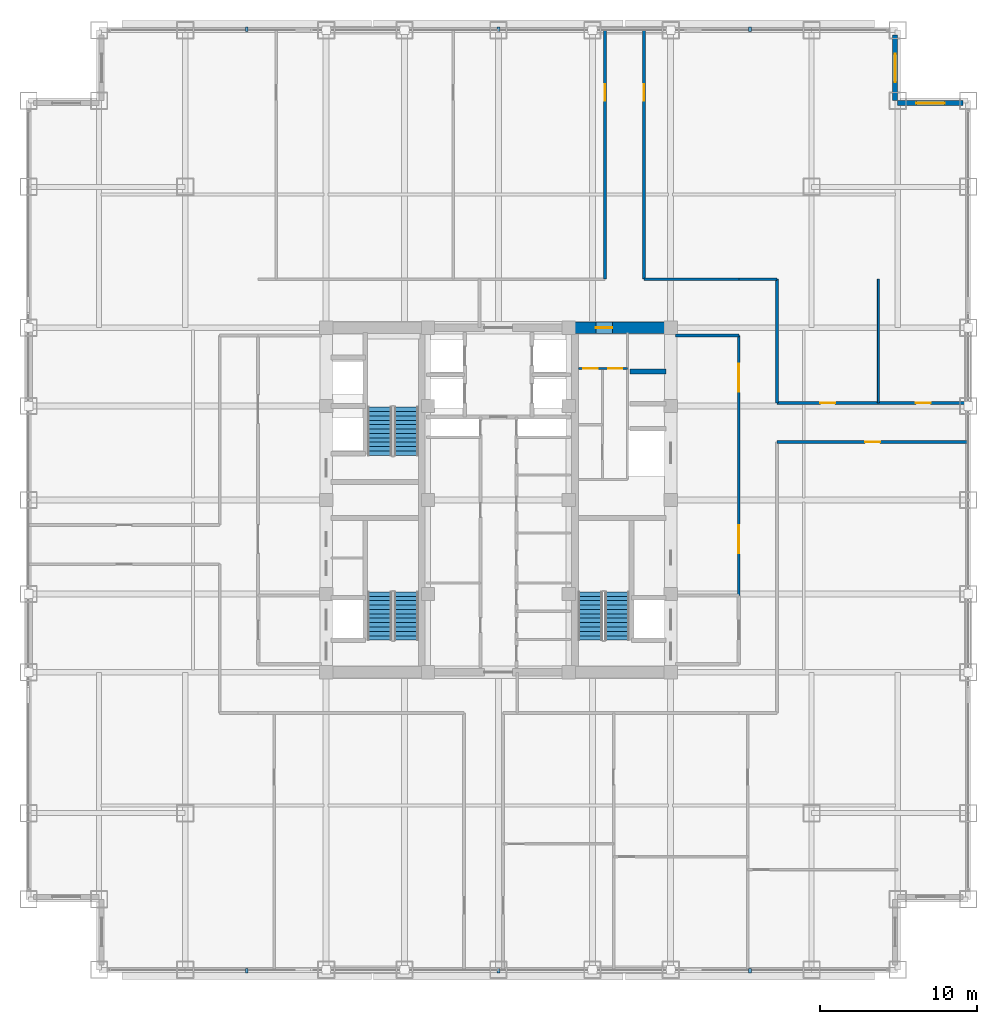
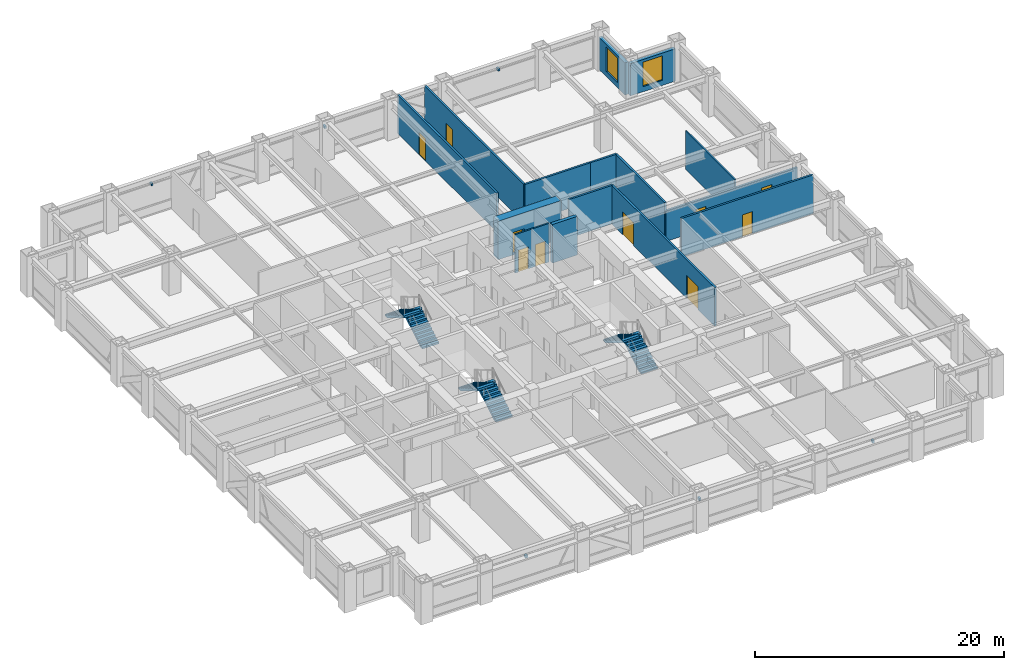
# One storey, part 23 of 28: 15 walls, 10 doors, 6 discrete accessories, 6 stair flights, 2 windows, 12 openings, 3 elements without a shape of their own.
"""IFC4 building model written with IfcOpenShell, lengths in metres."""

from ifc_helpers import new_model, si_unit, direction, frame, frame_2d, origin, origin_2d, place, context, subcontext, project, spatial, polyline, rectangle, outline, extrude, source, transform, mapped, material, layer, layer_set, type_object, element, fill, aggregate, save


model = new_model("IFC4")

# Units and contexts
model_context = context("Model", 3, precision=1e-05, world=origin(), true_north=direction((0.0, 1.0)))
body_context = subcontext(model_context, "Body", "Model", "MODEL_VIEW")
ifc_project = project(units=[si_unit("LENGTHUNIT", "METRE"), si_unit("AREAUNIT", "SQUARE_METRE"), si_unit("VOLUMEUNIT", "CUBIC_METRE"), si_unit("PLANEANGLEUNIT", "RADIAN"), si_unit("MASSUNIT", "GRAM", prefix="KILO")], contexts=[model_context])

# Site, building, storey
site_placement = place(None, origin())
site = spatial("IfcSite", under=ifc_project, at=site_placement, CompositionType="ELEMENT")
building_placement = place(site_placement, origin())
building = spatial("IfcBuilding", under=site, at=building_placement, Name="Khorayat Bourse Tower", CompositionType="ELEMENT")
storey_placement = place(building_placement, frame((0.0, 0.0, 187.10009765625)))
storey = spatial("IfcBuildingStorey", under=building, at=storey_placement, Name="L43", CompositionType="ELEMENT", Elevation=187.10009765625)

# Wall, opening, door
ifc_material_1 = material(Name="Concrete C72/90", Category="concrete")
ifc_layer_1 = layer(ifc_material_1, 0.75)
ifc_layer_set_1 = layer_set([ifc_layer_1], Name="Concrete C72/90")
wall_type_1 = type_object("IfcWallType", Name="WAL-CORE-750", PredefinedType="SHEAR", material=ifc_layer_set_1)
shared_shape_1 = source(origin(), body_context, "Body", "SweptSolid", [
    extrude(rectangle(XDim=5.849853515625, YDim=0.75, at=frame_2d((2.9248046875, 0.0))), origin(), (0.0, 0.0, 1.0), 3.77978515625),
])
wall_1_placement = place(storey_placement, frame((4.85009765625, 11.0, 0.0), z_axis=(0.0, 0.0, 1.0), x_axis=(1.0, 0.0, 0.0)))
wall_1 = element("IfcWall", 1, at=wall_1_placement, inside=storey, type_object=wall_type_1, Name="L43 Core Shear Wall PIER-EN", PredefinedType="SHEAR", context=body_context, shape_type="MappedRepresentation", body=[
    mapped(shared_shape_1, transform((0.0, 0.0, 0.0), scale=1.0)),
])
shared_shape_2 = source(origin(), body_context, "Body", "SweptSolid", [
    extrude(rectangle(XDim=1.050048828125, YDim=2.199951171875, at=frame_2d((0.52490234375, 1.10009765625))), frame((0.0, 0.385009765625, 0.0), z_axis=(0.0, -1.0, 0.0), x_axis=(1.0, 0.0, 0.0)), (0.0, 0.0, 1.0), 0.77001953125),
])
opening_1_placement = place(wall_1_placement, frame((1.375, 0.0, 0.0)))
opening_1 = element("IfcOpeningElement", 2, at=opening_1_placement, cuts=wall_1, Name="Opening DI-04", PredefinedType="OPENING", context=body_context, shape_type="MappedRepresentation", body=[
    mapped(shared_shape_2, transform((0.0, 0.0, 0.0), scale=1.0)),
])
ifc_material_2 = material(Name="Fire-rated oak veneer suite entrance door")
door_type_1 = type_object("IfcDoorType", Name="DR-INT-SUITE-1050", OperationType="NOTDEFINED", PredefinedType="DOOR", material=ifc_material_2)
shared_shape_3 = source(origin(), body_context, "Body", "SweptSolid", [
    extrude(rectangle(XDim=1.050048828125, YDim=2.199951171875, at=frame_2d((0.52490234375, 1.10009765625))), frame((0.0, 0.02490234375, 0.0), z_axis=(0.0, -1.0, 0.0), x_axis=(1.0, 0.0, 0.0)), (0.0, 0.0, 1.0), 0.050048828125),
])
door_1_placement = place(opening_1_placement, origin())
door_1 = element("IfcDoor", 3, at=door_1_placement, inside=storey, type_object=door_type_1, Name="L43 Core Washroom Lobby Door", OperationType="SINGLE_SWING_LEFT", OverallHeight=2.199951171875, OverallWidth=1.050048828125, PredefinedType="DOOR", context=body_context, shape_type="MappedRepresentation", body=[
    mapped(shared_shape_3, transform((0.0, 0.0, 0.0), scale=1.0)),
])
fill(opening_1, door_1)

# Wall, opening, window
ifc_material_3 = material(Name="Precast concrete C45/55", Category="concrete")
ifc_layer_2 = layer(ifc_material_3, 0.320068359375)
ifc_layer_set_2 = layer_set([ifc_layer_2], Name="Precast concrete C45/55")
wall_type_2 = type_object("IfcWallType", Name="WAL-EXT-STONE-320", PredefinedType="STANDARD", material=ifc_layer_set_2)
shared_shape_4 = source(origin(), body_context, "Body", "SweptSolid", [
    extrude(rectangle(XDim=4.179931640625, YDim=0.320068359375, at=frame_2d((2.08984375, 0.0))), origin(), (0.0, 0.0, 1.0), 3.163818359375),
])
wall_2_placement = place(storey_placement, frame((25.5, 25.340087890625, 0.0), z_axis=(0.0, 0.0, 1.0), x_axis=(1.0, 0.0, 0.0)))
wall_2 = element("IfcWall", 4, at=wall_2_placement, inside=storey, type_object=wall_type_2, Name="L43 Re-Entrant Notch Limestone Wall NE-H", PredefinedType="STANDARD", context=body_context, shape_type="MappedRepresentation", body=[
    mapped(shared_shape_4, transform((0.0, 0.0, 0.0), scale=1.0)),
])
shared_shape_5 = source(origin(), body_context, "Body", "SweptSolid", [
    extrude(rectangle(XDim=1.800048828125, YDim=2.39990234375, at=frame_2d((0.89990234375, 1.199951171875))), frame((0.0, 0.169921875, 0.0), z_axis=(0.0, -1.0, 0.0), x_axis=(1.0, 0.0, 0.0)), (0.0, 0.0, 1.0), 0.340087890625),
])
opening_2_placement = place(wall_2_placement, frame((1.18994140625, 0.0, 0.5)))
opening_2 = element("IfcOpeningElement", 5, at=opening_2_placement, cuts=wall_2, Name="Opening WN-04", PredefinedType="OPENING", context=body_context, shape_type="MappedRepresentation", body=[
    mapped(shared_shape_5, transform((0.0, 0.0, 0.0), scale=1.0)),
])
ifc_material_4 = material(Name="Low-E acoustic laminated double glazing", Category="glass")
window_type = type_object("IfcWindowType", Name="WIN-NOTCH-1800x2400", PartitioningType="SINGLE_PANEL", PredefinedType="WINDOW", material=ifc_material_4)
shared_shape_6 = source(origin(), body_context, "Body", "SweptSolid", [
    extrude(rectangle(XDim=1.800048828125, YDim=2.39990234375, at=frame_2d((0.89990234375, 1.199951171875))), frame((0.0, 0.030029296875, 0.0), z_axis=(0.0, -1.0, 0.0), x_axis=(1.0, 0.0, 0.0)), (0.0, 0.0, 1.0), 0.06005859375),
])
window_1_placement = place(opening_2_placement, origin())
window_1 = element("IfcWindow", 6, at=window_1_placement, inside=storey, type_object=window_type, Name="L43 Facade Window 1", OverallHeight=2.39990234375, OverallWidth=1.800048828125, PartitioningType="SINGLE_PANEL", PredefinedType="WINDOW", context=body_context, shape_type="MappedRepresentation", body=[
    mapped(shared_shape_6, transform((0.0, 0.0, 0.0), scale=1.0)),
])
fill(opening_2, window_1)

wall_3_placement = place(storey_placement, frame((25.340087890625, 25.5, 0.0), z_axis=(0.0, 0.0, 1.0), x_axis=(0.0, 1.0, 0.0)))
wall_3 = element("IfcWall", 7, at=wall_3_placement, inside=storey, type_object=wall_type_2, Name="L43 Re-Entrant Notch Limestone Wall NE-V", PredefinedType="STANDARD", context=body_context, shape_type="MappedRepresentation", body=[
    mapped(shared_shape_4, transform((0.0, 0.0, 0.0), scale=1.0)),
])
opening_3_placement = place(wall_3_placement, frame((1.18994140625, 0.0, 0.5)))
opening_3 = element("IfcOpeningElement", 8, at=opening_3_placement, cuts=wall_3, Name="Opening WN-04", PredefinedType="OPENING", context=body_context, shape_type="MappedRepresentation", body=[
    mapped(shared_shape_5, transform((0.0, 0.0, 0.0), scale=1.0)),
])
window_2_placement = place(opening_3_placement, origin())
window_2 = element("IfcWindow", 9, at=window_2_placement, inside=storey, type_object=window_type, Name="L43 Facade Window 1", OverallHeight=2.39990234375, OverallWidth=1.800048828125, PartitioningType="SINGLE_PANEL", PredefinedType="WINDOW", context=body_context, shape_type="MappedRepresentation", body=[
    mapped(shared_shape_6, transform((0.0, 0.0, 0.0), scale=1.0)),
])
fill(opening_3, window_2)

# Wall
ifc_material_5 = material(Name="Concrete C50/60", Category="concrete")
ifc_layer_3 = layer(ifc_material_5, 0.300048828125)
ifc_layer_set_3 = layer_set([ifc_layer_3], Name="Concrete C50/60")
wall_type_3 = type_object("IfcWallType", Name="WAL-SHAFT-300", PredefinedType="SHEAR", material=ifc_layer_set_3)
shared_shape_7 = source(origin(), body_context, "Body", "SweptSolid", [
    extrude(rectangle(XDim=2.300048828125, YDim=0.300048828125, at=frame_2d((1.14990234375, 0.0))), origin(), (0.0, 0.0, 1.0), 3.77978515625),
])
wall_4_placement = place(storey_placement, frame((8.39990234375, 8.199951171875, 0.0), z_axis=(0.0, 0.0, 1.0), x_axis=(1.0, 0.0, 0.0)))
element("IfcWall", 10, at=wall_4_placement, inside=storey, type_object=wall_type_3, Name="L43 Partition WAL-L43-EPIER-H34", PredefinedType="SHEAR", context=body_context, shape_type="MappedRepresentation", body=[
    mapped(shared_shape_7, transform((0.0, 0.0, 0.0), scale=1.0)),
])

# Wall, openings, doors
ifc_material_6 = material(Name="Moisture-resistant masonry partition", Category="masonry")
ifc_layer_4 = layer(ifc_material_6, 0.139892578125)
ifc_layer_set_4 = layer_set([ifc_layer_4], Name="Moisture-resistant masonry partition")
wall_type_4 = type_object("IfcWallType", Name="WAL-PART-WET-140", PredefinedType="PARTITIONING", material=ifc_layer_set_4)
shared_shape_8 = source(origin(), body_context, "Body", "SweptSolid", [
    extrude(rectangle(XDim=3.14990234375, YDim=0.139892578125, at=frame_2d((1.574951171875, 0.0))), origin(), (0.0, 0.0, 1.0), 3.77978515625),
])
wall_5_placement = place(storey_placement, frame((5.10009765625, 8.39990234375, 0.0), z_axis=(0.0, 0.0, 1.0), x_axis=(1.0, 0.0, 0.0)))
wall_5 = element("IfcWall", 11, at=wall_5_placement, inside=storey, type_object=wall_type_4, Name="L43 Partition WAL-L43-ECW-TOP", PredefinedType="PARTITIONING", context=body_context, shape_type="MappedRepresentation", body=[
    mapped(shared_shape_8, transform((0.0, 0.0, 0.0), scale=1.0)),
])
shared_shape_9 = source(origin(), body_context, "Body", "SweptSolid", [
    extrude(rectangle(XDim=0.89990234375, YDim=2.14990234375, at=frame_2d((0.449951171875, 1.074951171875))), frame((0.0, 0.079833984375, 0.0), z_axis=(0.0, -1.0, 0.0), x_axis=(1.0, 0.0, 0.0)), (0.0, 0.0, 1.0), 0.159912109375),
])
opening_4_placement = place(wall_5_placement, frame((0.330078125, 0.0, 0.0)))
opening_4 = element("IfcOpeningElement", 12, at=opening_4_placement, cuts=wall_5, Name="Opening DI-06", PredefinedType="OPENING", context=body_context, shape_type="MappedRepresentation", body=[
    mapped(shared_shape_9, transform((0.0, 0.0, 0.0), scale=1.0)),
])
opening_5_placement = place(wall_5_placement, frame((1.89990234375, 0.0, 0.0)))
opening_5 = element("IfcOpeningElement", 13, at=opening_5_placement, cuts=wall_5, Name="Opening DI-06", PredefinedType="OPENING", context=body_context, shape_type="MappedRepresentation", body=[
    mapped(shared_shape_9, transform((0.0, 0.0, 0.0), scale=1.0)),
])
ifc_material_7 = material(Name="Moisture-resistant laminate washroom door")
door_type_2 = type_object("IfcDoorType", Name="DR-INT-WC-900", OperationType="NOTDEFINED", PredefinedType="DOOR", material=ifc_material_7)
shared_shape_10 = source(origin(), body_context, "Body", "SweptSolid", [
    extrude(rectangle(XDim=0.89990234375, YDim=2.14990234375, at=frame_2d((0.449951171875, 1.074951171875))), frame((0.0, 0.02490234375, 0.0), z_axis=(0.0, -1.0, 0.0), x_axis=(1.0, 0.0, 0.0)), (0.0, 0.0, 1.0), 0.050048828125),
])
door_2_placement = place(opening_4_placement, origin())
door_2 = element("IfcDoor", 14, at=door_2_placement, inside=storey, type_object=door_type_2, Name="L43 Accessible WC Door", OperationType="SINGLE_SWING_LEFT", OverallHeight=2.14990234375, OverallWidth=0.89990234375, PredefinedType="DOOR", context=body_context, shape_type="MappedRepresentation", body=[
    mapped(shared_shape_10, transform((0.0, 0.0, 0.0), scale=1.0)),
])
fill(opening_4, door_2)
door_3_placement = place(opening_5_placement, origin())
door_3 = element("IfcDoor", 15, at=door_3_placement, inside=storey, type_object=door_type_2, Name="L43 Shared Washroom Door", OperationType="SINGLE_SWING_RIGHT", OverallHeight=2.14990234375, OverallWidth=0.89990234375, PredefinedType="DOOR", context=body_context, shape_type="MappedRepresentation", body=[
    mapped(shared_shape_10, transform((0.0, 0.0, 0.0), scale=1.0)),
])
fill(opening_5, door_3)

# Wall
ifc_material_8 = material(Name="Gypsum plasterboard acoustic stud wall")
ifc_layer_5 = layer(ifc_material_8, 0.179931640625)
ifc_layer_set_5 = layer_set([ifc_layer_5], Name="Gypsum plasterboard acoustic stud wall")
wall_type_5 = type_object("IfcWallType", Name="WAL-PART-CORR-180", PredefinedType="PARTITIONING", material=ifc_layer_set_5)
shared_shape_11 = source(origin(), body_context, "Body", "SweptSolid", [
    extrude(rectangle(XDim=4.050048828125, YDim=0.179931640625, at=frame_2d((2.02490234375, 0.0))), origin(), (0.0, 0.0, 1.0), 3.77978515625),
])
wall_6_placement = place(storey_placement, frame((11.300048828125, 10.5, 0.0), z_axis=(0.0, 0.0, 1.0), x_axis=(1.0, 0.0, 0.0)))
element("IfcWall", 16, at=wall_6_placement, inside=storey, type_object=wall_type_5, Name="L43 Partition WAL-L43-ELOB-N", PredefinedType="PARTITIONING", context=body_context, shape_type="MappedRepresentation", body=[
    mapped(shared_shape_11, transform((0.0, 0.0, 0.0), scale=1.0)),
])

# Wall, openings, doors
shared_shape_12 = source(origin(), body_context, "Body", "SweptSolid", [
    extrude(rectangle(XDim=16.60009765625, YDim=0.179931640625, at=frame_2d((8.300048828125, 0.0))), origin(), (0.0, 0.0, 1.0), 3.77978515625),
])
wall_7_placement = place(storey_placement, frame((15.35009765625, -6.10009765625, 0.0), z_axis=(0.0, 0.0, 1.0), x_axis=(0.0, 1.0, 0.0)))
wall_7 = element("IfcWall", 17, at=wall_7_placement, inside=storey, type_object=wall_type_5, Name="L43 Partition WAL-L43-ELOB-E", PredefinedType="PARTITIONING", context=body_context, shape_type="MappedRepresentation", body=[
    mapped(shared_shape_12, transform((0.0, 0.0, 0.0), scale=1.0)),
])
shared_shape_13 = source(origin(), body_context, "Body", "SweptSolid", [
    extrude(rectangle(XDim=1.800048828125, YDim=2.25, at=frame_2d((0.89990234375, 1.125))), frame((0.0, 0.099853515625, 0.0), z_axis=(0.0, -1.0, 0.0), x_axis=(1.0, 0.0, 0.0)), (0.0, 0.0, 1.0), 0.199951171875),
])
opening_6_placement = place(wall_7_placement, frame((2.699951171875, 0.0, 0.0)))
opening_6 = element("IfcOpeningElement", 18, at=opening_6_placement, cuts=wall_7, Name="Opening DI-03", PredefinedType="OPENING", context=body_context, shape_type="MappedRepresentation", body=[
    mapped(shared_shape_13, transform((0.0, 0.0, 0.0), scale=1.0)),
])
opening_7_placement = place(wall_7_placement, frame((13.0, 0.0, 0.0)))
opening_7 = element("IfcOpeningElement", 19, at=opening_7_placement, cuts=wall_7, Name="Opening DI-03", PredefinedType="OPENING", context=body_context, shape_type="MappedRepresentation", body=[
    mapped(shared_shape_13, transform((0.0, 0.0, 0.0), scale=1.0)),
])
ifc_material_9 = material(Name="Fire-rated hardwood vision-panel double leaf", Category="wood")
door_type_3 = type_object("IfcDoorType", Name="DR-INT-CORR-1800", OperationType="NOTDEFINED", PredefinedType="DOOR", material=ifc_material_9)
shared_shape_14 = source(origin(), body_context, "Body", "SweptSolid", [
    extrude(rectangle(XDim=1.800048828125, YDim=2.25, at=frame_2d((0.89990234375, 1.125))), frame((0.0, 0.02490234375, 0.0), z_axis=(0.0, -1.0, 0.0), x_axis=(1.0, 0.0, 0.0)), (0.0, 0.0, 1.0), 0.050048828125),
])
door_4_placement = place(opening_6_placement, origin())
door_4 = element("IfcDoor", 20, at=door_4_placement, inside=storey, type_object=door_type_3, Name="L43 East Core Lobby South Door", OperationType="SINGLE_SWING_RIGHT", OverallHeight=2.25, OverallWidth=1.800048828125, PredefinedType="DOOR", context=body_context, shape_type="MappedRepresentation", body=[
    mapped(shared_shape_14, transform((0.0, 0.0, 0.0), scale=1.0)),
])
fill(opening_6, door_4)
door_5_placement = place(opening_7_placement, origin())
door_5 = element("IfcDoor", 21, at=door_5_placement, inside=storey, type_object=door_type_3, Name="L43 East Core Lobby North Door", OperationType="SINGLE_SWING_LEFT", OverallHeight=2.25, OverallWidth=1.800048828125, PredefinedType="DOOR", context=body_context, shape_type="MappedRepresentation", body=[
    mapped(shared_shape_14, transform((0.0, 0.0, 0.0), scale=1.0)),
])
fill(opening_7, door_5)

# Wall
shared_shape_15 = source(origin(), body_context, "Body", "SweptSolid", [
    extrude(rectangle(XDim=2.449951171875, YDim=0.179931640625, at=frame_2d((1.22509765625, 0.0))), origin(), (0.0, 0.0, 1.0), 3.77978515625),
])
wall_8_placement = place(storey_placement, frame((15.35009765625, 14.10009765625, 0.0), z_axis=(0.0, 0.0, 1.0), x_axis=(1.0, 0.0, 0.0)))
element("IfcWall", 22, at=wall_8_placement, inside=storey, type_object=wall_type_5, Name="L43 Partition WAL-L43-C2-EN", PredefinedType="PARTITIONING", context=body_context, shape_type="MappedRepresentation", body=[
    mapped(shared_shape_15, transform((0.0, 0.0, 0.0), scale=1.0)),
])

# Wall, opening, door
shared_shape_16 = source(origin(), body_context, "Body", "SweptSolid", [
    extrude(rectangle(XDim=12.199951171875, YDim=0.179931640625, at=frame_2d((6.10009765625, 0.0))), origin(), (0.0, 0.0, 1.0), 3.77978515625),
])
wall_9_placement = place(storey_placement, frame((17.800048828125, 3.699951171875, 0.0), z_axis=(0.0, 0.0, 1.0), x_axis=(1.0, 0.0, 0.0)))
wall_9 = element("IfcWall", 23, at=wall_9_placement, inside=storey, type_object=wall_type_5, Name="L43 Partition WAL-L43-ES-SPK", PredefinedType="PARTITIONING", context=body_context, shape_type="MappedRepresentation", body=[
    mapped(shared_shape_16, transform((0.0, 0.0, 0.0), scale=1.0)),
])
shared_shape_17 = source(origin(), body_context, "Body", "SweptSolid", [
    extrude(rectangle(XDim=0.949951171875, YDim=2.14990234375, at=frame_2d((0.47509765625, 1.074951171875))), frame((0.0, 0.099853515625, 0.0), z_axis=(0.0, -1.0, 0.0), x_axis=(1.0, 0.0, 0.0)), (0.0, 0.0, 1.0), 0.199951171875),
])
opening_8_placement = place(wall_9_placement, frame((5.625, 0.0, 0.0)))
opening_8 = element("IfcOpeningElement", 24, at=opening_8_placement, cuts=wall_9, Name="Opening DI-05", PredefinedType="OPENING", context=body_context, shape_type="MappedRepresentation", body=[
    mapped(shared_shape_17, transform((0.0, 0.0, 0.0), scale=1.0)),
])
ifc_material_10 = material(Name="Acoustic oak veneer office door")
door_type_4 = type_object("IfcDoorType", Name="DR-INT-OFFICE-950", OperationType="NOTDEFINED", PredefinedType="DOOR", material=ifc_material_10)
shared_shape_18 = source(origin(), body_context, "Body", "SweptSolid", [
    extrude(rectangle(XDim=0.949951171875, YDim=2.14990234375, at=frame_2d((0.47509765625, 1.074951171875))), frame((0.0, 0.02490234375, 0.0), z_axis=(0.0, -1.0, 0.0), x_axis=(1.0, 0.0, 0.0)), (0.0, 0.0, 1.0), 0.050048828125),
])
door_6_placement = place(opening_8_placement, origin())
door_6 = element("IfcDoor", 25, at=door_6_placement, inside=storey, type_object=door_type_4, Name="L43 Members Club Room ES Door", OperationType="SINGLE_SWING_LEFT", OverallHeight=2.14990234375, OverallWidth=0.949951171875, PredefinedType="DOOR", context=body_context, shape_type="MappedRepresentation", body=[
    mapped(shared_shape_18, transform((0.0, 0.0, 0.0), scale=1.0)),
])
fill(opening_8, door_6)

# Wall, openings, doors
shared_shape_19 = source(origin(), body_context, "Body", "SweptSolid", [
    extrude(rectangle(XDim=12.199951171875, YDim=0.179931640625, at=frame_2d((6.10009765625, 0.0))), origin(), (0.0, 0.0, 1.0), 3.0068359375),
])
wall_10_placement = place(storey_placement, frame((17.800048828125, 6.199951171875, 0.0), z_axis=(0.0, 0.0, 1.0), x_axis=(1.0, 0.0, 0.0)))
wall_10 = element("IfcWall", 26, at=wall_10_placement, inside=storey, type_object=wall_type_5, Name="L43 Partition WAL-L43-EN-SPK", PredefinedType="PARTITIONING", context=body_context, shape_type="MappedRepresentation", body=[
    mapped(shared_shape_19, transform((0.0, 0.0, 0.0), scale=1.0)),
])
opening_9_placement = place(wall_10_placement, frame((2.758056640625, 0.0, 0.0)))
opening_9 = element("IfcOpeningElement", 27, at=opening_9_placement, cuts=wall_10, Name="Opening DI-05", PredefinedType="OPENING", context=body_context, shape_type="MappedRepresentation", body=[
    mapped(shared_shape_17, transform((0.0, 0.0, 0.0), scale=1.0)),
])
opening_10_placement = place(wall_10_placement, frame((8.85791015625, 0.0, 0.0)))
opening_10 = element("IfcOpeningElement", 28, at=opening_10_placement, cuts=wall_10, Name="Opening DI-05", PredefinedType="OPENING", context=body_context, shape_type="MappedRepresentation", body=[
    mapped(shared_shape_17, transform((0.0, 0.0, 0.0), scale=1.0)),
])
door_7_placement = place(opening_9_placement, origin())
door_7 = element("IfcDoor", 29, at=door_7_placement, inside=storey, type_object=door_type_4, Name="L43 Executive Wellness Fitness Gym ENA Door", OperationType="SINGLE_SWING_LEFT", OverallHeight=2.14990234375, OverallWidth=0.949951171875, PredefinedType="DOOR", context=body_context, shape_type="MappedRepresentation", body=[
    mapped(shared_shape_18, transform((0.0, 0.0, 0.0), scale=1.0)),
])
fill(opening_9, door_7)
door_8_placement = place(opening_10_placement, origin())
door_8 = element("IfcDoor", 30, at=door_8_placement, inside=storey, type_object=door_type_4, Name="L43 Members Dining Room ENB Door", OperationType="SINGLE_SWING_RIGHT", OverallHeight=2.14990234375, OverallWidth=0.949951171875, PredefinedType="DOOR", context=body_context, shape_type="MappedRepresentation", body=[
    mapped(shared_shape_18, transform((0.0, 0.0, 0.0), scale=1.0)),
])
fill(opening_10, door_8)

# Wall, opening, door
shared_shape_20 = source(origin(), body_context, "Body", "SweptSolid", [
    extrude(rectangle(XDim=15.89990234375, YDim=0.179931640625, at=frame_2d((7.949951171875, 0.0))), origin(), (0.0, 0.0, 1.0), 3.77978515625),
])
wall_11_placement = place(storey_placement, frame((6.800048828125, 14.10009765625, 0.0), z_axis=(0.0, 0.0, 1.0), x_axis=(0.0, 1.0, 0.0)))
wall_11 = element("IfcWall", 31, at=wall_11_placement, inside=storey, type_object=wall_type_5, Name="L43 Partition WAL-L43-QNW-SPK", PredefinedType="PARTITIONING", context=body_context, shape_type="MappedRepresentation", body=[
    mapped(shared_shape_20, transform((0.0, 0.0, 0.0), scale=1.0)),
])
shared_shape_21 = source(origin(), body_context, "Body", "SweptSolid", [
    extrude(rectangle(XDim=1.050048828125, YDim=2.199951171875, at=frame_2d((0.52490234375, 1.10009765625))), frame((0.0, 0.099853515625, 0.0), z_axis=(0.0, -1.0, 0.0), x_axis=(1.0, 0.0, 0.0)), (0.0, 0.0, 1.0), 0.199951171875),
])
opening_11_placement = place(wall_11_placement, frame((11.39990234375, 0.0, 0.0)))
opening_11 = element("IfcOpeningElement", 32, at=opening_11_placement, cuts=wall_11, Name="Opening DI-04", PredefinedType="OPENING", context=body_context, shape_type="MappedRepresentation", body=[
    mapped(shared_shape_21, transform((0.0, 0.0, 0.0), scale=1.0)),
])
door_9_placement = place(opening_11_placement, origin())
door_9 = element("IfcDoor", 33, at=door_9_placement, inside=storey, type_object=door_type_1, Name="L43 North-West Radial Spoke Entry", OperationType="SINGLE_SWING_LEFT", OverallHeight=2.199951171875, OverallWidth=1.050048828125, PredefinedType="DOOR", context=body_context, shape_type="MappedRepresentation", body=[
    mapped(shared_shape_3, transform((0.0, 0.0, 0.0), scale=1.0)),
])
fill(opening_11, door_9)

wall_12_placement = place(storey_placement, frame((9.300048828125, 14.10009765625, 0.0), z_axis=(0.0, 0.0, 1.0), x_axis=(0.0, 1.0, 0.0)))
wall_12 = element("IfcWall", 34, at=wall_12_placement, inside=storey, type_object=wall_type_5, Name="L43 Partition WAL-L43-QNE-SPK", PredefinedType="PARTITIONING", context=body_context, shape_type="MappedRepresentation", body=[
    mapped(shared_shape_20, transform((0.0, 0.0, 0.0), scale=1.0)),
])
opening_12_placement = place(wall_12_placement, frame((11.39990234375, 0.0, 0.0)))
opening_12 = element("IfcOpeningElement", 35, at=opening_12_placement, cuts=wall_12, Name="Opening DI-04", PredefinedType="OPENING", context=body_context, shape_type="MappedRepresentation", body=[
    mapped(shared_shape_21, transform((0.0, 0.0, 0.0), scale=1.0)),
])
door_10_placement = place(opening_12_placement, origin())
door_10 = element("IfcDoor", 36, at=door_10_placement, inside=storey, type_object=door_type_1, Name="L43 North-East Radial Spoke Entry", OperationType="SINGLE_SWING_LEFT", OverallHeight=2.199951171875, OverallWidth=1.050048828125, PredefinedType="DOOR", context=body_context, shape_type="MappedRepresentation", body=[
    mapped(shared_shape_3, transform((0.0, 0.0, 0.0), scale=1.0)),
])
fill(opening_12, door_10)

# Walls
shared_shape_22 = source(origin(), body_context, "Body", "SweptSolid", [
    extrude(rectangle(XDim=6.050048828125, YDim=0.179931640625, at=frame_2d((3.02490234375, 0.0))), origin(), (0.0, 0.0, 1.0), 3.77978515625),
])
wall_13_placement = place(storey_placement, frame((9.300048828125, 14.10009765625, 0.0), z_axis=(0.0, 0.0, 1.0), x_axis=(1.0, 0.0, 0.0)))
element("IfcWall", 37, at=wall_13_placement, inside=storey, type_object=wall_type_5, Name="L43 Partition WAL-L43-QNE-HC", PredefinedType="PARTITIONING", context=body_context, shape_type="MappedRepresentation", body=[
    mapped(shared_shape_22, transform((0.0, 0.0, 0.0), scale=1.0)),
])
ifc_material_11 = material(Name="Gypsum plasterboard partition")
ifc_layer_6 = layer(ifc_material_11, 0.125)
ifc_layer_set_6 = layer_set([ifc_layer_6], Name="Gypsum plasterboard partition")
wall_type_6 = type_object("IfcWallType", Name="WAL-PART-ROOM-125", PredefinedType="PARTITIONING", material=ifc_layer_set_6)
shared_shape_23 = source(origin(), body_context, "Body", "SweptSolid", [
    extrude(rectangle(XDim=7.900146484375, YDim=0.125, at=frame_2d((3.9501953125, 0.0))), origin(), (0.0, 0.0, 1.0), 3.77978515625),
])
wall_14_placement = place(storey_placement, frame((24.26611328125, 6.199951171875, 0.0), z_axis=(0.0, 0.0, 1.0), x_axis=(0.0, 1.0, 0.0)))
element("IfcWall", 38, at=wall_14_placement, inside=storey, type_object=wall_type_6, Name="L43 Partition WAL-L43-EN-DV", PredefinedType="PARTITIONING", context=body_context, shape_type="MappedRepresentation", body=[
    mapped(shared_shape_23, transform((0.0, 0.0, 0.0), scale=1.0)),
])
shared_shape_24 = source(origin(), body_context, "Body", "SweptSolid", [
    extrude(rectangle(XDim=7.900146484375, YDim=0.179931640625, at=frame_2d((3.9501953125, 0.0))), origin(), (0.0, 0.0, 1.0), 3.77978515625),
])
wall_15_placement = place(storey_placement, frame((17.800048828125, 6.199951171875, 0.0), z_axis=(0.0, 0.0, 1.0), x_axis=(0.0, 1.0, 0.0)))
element("IfcWall", 39, at=wall_15_placement, inside=storey, type_object=wall_type_5, Name="L43 Partition WAL-L43-EN-IN", PredefinedType="PARTITIONING", context=body_context, shape_type="MappedRepresentation", body=[
    mapped(shared_shape_24, transform((0.0, 0.0, 0.0), scale=1.0)),
])

# Stair, stair flights
ifc_material_12 = material(Name="Concrete C40/50", Category="concrete")
stair_type = type_object("IfcStairType", Name="STR-CORE-1550", PredefinedType="HALF_TURN_STAIR", material=ifc_material_12)
stair_1_placement = place(storey_placement, origin())
stair_1 = element("IfcStair", 40, at=stair_1_placement, inside=storey, type_object=stair_type, Name="L43 Exit Stair ST-1", PredefinedType="HALF_TURN_STAIR")
stair_flight_type = type_object("IfcStairFlightType", Name="FLT-CORE-1550", PredefinedType="STRAIGHT", material=ifc_material_12)
shared_shape_25 = source(origin(), body_context, "Body", "SweptSolid", [
    extrude(outline(polyline([(0.0, 0.0), (0.0, 0.166748046875), (0.280029296875, 0.166748046875), (0.280029296875, 0.333251953125), (0.56005859375, 0.333251953125), (0.56005859375, 0.5), (0.840087890625, 0.5), (0.840087890625, 0.666748046875), (1.1201171875, 0.666748046875), (1.1201171875, 0.833251953125), (1.39990234375, 0.833251953125), (1.39990234375, 1.0), (1.679931640625, 1.0), (1.679931640625, 1.166748046875), (1.9599609375, 1.166748046875), (1.9599609375, 1.333251953125), (2.239990234375, 1.333251953125), (2.239990234375, 1.5), (2.52001953125, 1.5), (2.52001953125, 1.666748046875), (2.800048828125, 1.666748046875), (2.800048828125, 1.833251953125), (3.080078125, 1.833251953125), (3.080078125, 2.0), (3.080078125, 1.6240234375), (0.351806640625, 0.0), (0.0, 0.0)])), frame((0.0, 0.77490234375, 0.0), z_axis=(0.0, -1.0, 0.0), x_axis=(1.0, 0.0, 0.0)), (0.0, 0.0, 1.0), 1.550048828125),
])
stair_flight_1_placement = place(storey_placement, frame((-5.875, -8.949951171875, 0.0), z_axis=(0.0, 0.0, 1.0), x_axis=(0.0, 1.0, 0.0)))
stair_flight_1 = element("IfcStairFlight", 41, at=stair_flight_1_placement, type_object=stair_flight_type, Name="ST-1 flight 1", NumberOfRisers=12, NumberOfTreads=11, PredefinedType="STRAIGHT", RiserHeight=0.166666667, TreadLength=0.28, context=body_context, shape_type="MappedRepresentation", body=[
    mapped(shared_shape_25, transform((0.0, 0.0, 0.0), scale=1.0)),
])
stair_flight_2_placement = place(storey_placement, frame((-7.574951171875, -5.8701171875, 2.0), z_axis=(0.0, 0.0, 1.0), x_axis=(0.0, -1.0, 0.0)))
stair_flight_2 = element("IfcStairFlight", 42, at=stair_flight_2_placement, type_object=stair_flight_type, Name="ST-1 flight 2", NumberOfRisers=12, NumberOfTreads=11, PredefinedType="STRAIGHT", RiserHeight=0.166666667, TreadLength=0.28, context=body_context, shape_type="MappedRepresentation", body=[
    mapped(shared_shape_25, transform((0.0, 0.0, 0.0), scale=1.0)),
])
aggregate(stair_1, [stair_flight_1, stair_flight_2])

stair_2_placement = place(storey_placement, origin())
stair_2 = element("IfcStair", 43, at=stair_2_placement, inside=storey, type_object=stair_type, Name="L43 Exit Stair ST-2", PredefinedType="HALF_TURN_STAIR")
stair_flight_3_placement = place(storey_placement, frame((-5.875, 2.85009765625, 0.0), z_axis=(0.0, 0.0, 1.0), x_axis=(0.0, 1.0, 0.0)))
stair_flight_3 = element("IfcStairFlight", 44, at=stair_flight_3_placement, type_object=stair_flight_type, Name="ST-2 flight 1", NumberOfRisers=12, NumberOfTreads=11, PredefinedType="STRAIGHT", RiserHeight=0.166666667, TreadLength=0.28, context=body_context, shape_type="MappedRepresentation", body=[
    mapped(shared_shape_25, transform((0.0, 0.0, 0.0), scale=1.0)),
])
stair_flight_4_placement = place(storey_placement, frame((-7.574951171875, 5.929931640625, 2.0), z_axis=(0.0, 0.0, 1.0), x_axis=(0.0, -1.0, 0.0)))
stair_flight_4 = element("IfcStairFlight", 45, at=stair_flight_4_placement, type_object=stair_flight_type, Name="ST-2 flight 2", NumberOfRisers=12, NumberOfTreads=11, PredefinedType="STRAIGHT", RiserHeight=0.166666667, TreadLength=0.28, context=body_context, shape_type="MappedRepresentation", body=[
    mapped(shared_shape_25, transform((0.0, 0.0, 0.0), scale=1.0)),
])
aggregate(stair_2, [stair_flight_3, stair_flight_4])

stair_3_placement = place(storey_placement, origin())
stair_3 = element("IfcStair", 46, at=stair_3_placement, inside=storey, type_object=stair_type, Name="L43 Exit Stair ST-3", PredefinedType="HALF_TURN_STAIR")
stair_flight_5_placement = place(storey_placement, frame((7.574951171875, -8.949951171875, 0.0), z_axis=(0.0, 0.0, 1.0), x_axis=(0.0, 1.0, 0.0)))
stair_flight_5 = element("IfcStairFlight", 47, at=stair_flight_5_placement, type_object=stair_flight_type, Name="ST-3 flight 1", NumberOfRisers=12, NumberOfTreads=11, PredefinedType="STRAIGHT", RiserHeight=0.166666667, TreadLength=0.28, context=body_context, shape_type="MappedRepresentation", body=[
    mapped(shared_shape_25, transform((0.0, 0.0, 0.0), scale=1.0)),
])
stair_flight_6_placement = place(storey_placement, frame((5.875, -5.8701171875, 2.0), z_axis=(0.0, 0.0, 1.0), x_axis=(0.0, -1.0, 0.0)))
stair_flight_6 = element("IfcStairFlight", 48, at=stair_flight_6_placement, type_object=stair_flight_type, Name="ST-3 flight 2", NumberOfRisers=12, NumberOfTreads=11, PredefinedType="STRAIGHT", RiserHeight=0.166666667, TreadLength=0.28, context=body_context, shape_type="MappedRepresentation", body=[
    mapped(shared_shape_25, transform((0.0, 0.0, 0.0), scale=1.0)),
])
aggregate(stair_3, [stair_flight_5, stair_flight_6])

# Discrete accessories
ifc_material_13 = material(Name="Steel EN 10025-2 S355J2", Category="steel")
discrete_accessory_type = type_object("IfcDiscreteAccessoryType", Name="ACC-SHADE-BRACKET", PredefinedType="BRACKET", material=ifc_material_13)
shared_shape_26 = source(origin(), body_context, "Body", "SweptSolid", [
    extrude(rectangle(XDim=0.179931640625, YDim=0.300048828125, at=origin_2d()), origin(), (0.0, 0.0, 1.0), 0.239990234375),
])
for number, where, z_axis, x_axis, name in (
    (49, (-16.066650390625, -30.06005859375, 2.8798828125), (0.0, 0.0, 1.0), (1.0, 0.0, 0.0), "L43 Sunshade Support Bracket S-1"),
    (50, (0.0, -30.06005859375, 2.8798828125), (0.0, 0.0, 1.0), (1.0, 0.0, 0.0), "L43 Sunshade Support Bracket S-2"),
    (51, (16.066650390625, -30.06005859375, 2.8798828125), (0.0, 0.0, 1.0), (1.0, 0.0, 0.0), "L43 Sunshade Support Bracket S-3"),
    (52, (-16.066650390625, 30.06005859375, 2.8798828125), (0.0, 0.0, 1.0), (1.0, 0.0, 0.0), "L43 Sunshade Support Bracket N-1"),
    (53, (0.0, 30.06005859375, 2.8798828125), (0.0, 0.0, 1.0), (1.0, 0.0, 0.0), "L43 Sunshade Support Bracket N-2"),
    (54, (16.066650390625, 30.06005859375, 2.8798828125), (0.0, 0.0, 1.0), (1.0, 0.0, 0.0), "L43 Sunshade Support Bracket N-3"),
):
    element("IfcDiscreteAccessory", number, at=place(storey_placement, frame(where, z_axis=z_axis, x_axis=x_axis)), inside=storey, type_object=discrete_accessory_type, Name=name, PredefinedType="BRACKET", context=body_context, shape_type="MappedRepresentation", body=[
        mapped(shared_shape_26, transform((0.0, 0.0, 0.0), scale=1.0)),
    ])

save(model, "model.ifc")
